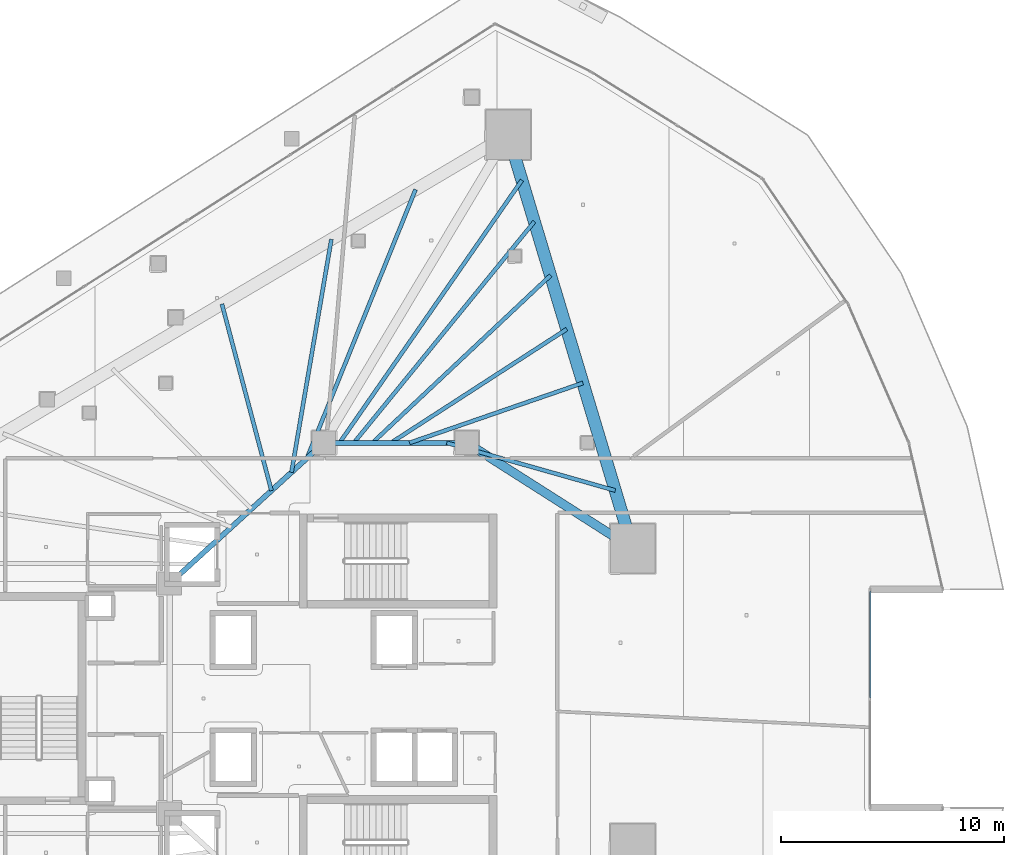
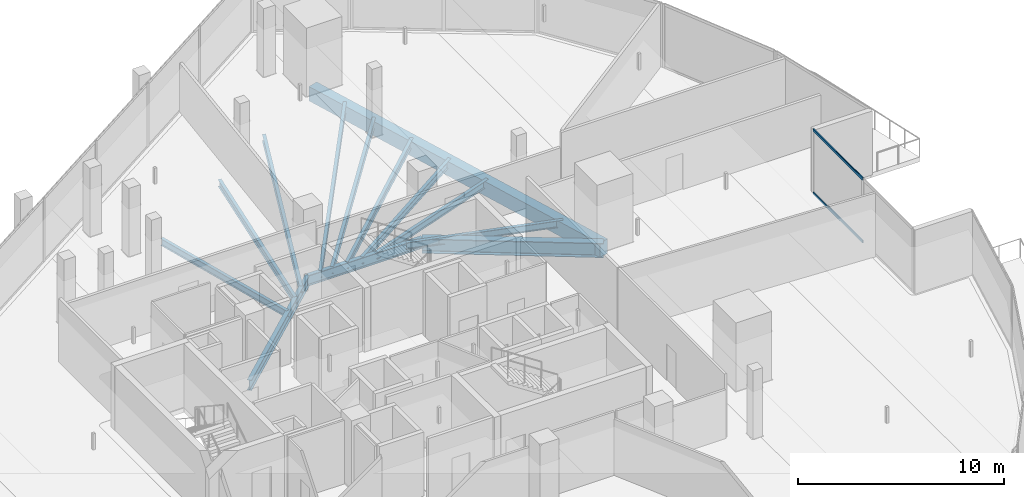
# One storey, part 18 of 38: 13 beams, 2 members, 1 element without a shape of its own.
"""IFC4 building model written with IfcOpenShell, lengths in metres."""

from ifc_helpers import new_model, si_unit, direction, frame, origin, origin_2d, place, context, subcontext, project, spatial, rectangle, hollow_rectangle, i_section, extrude, material, layer, layer_set, material_profile, profile_set, type_object, element, aggregate, save


model = new_model("IFC4")

# Units and contexts
model_context = context("Model", 3, precision=1e-05, world=origin(), true_north=direction((0.0, 1.0)))
body_context = subcontext(model_context, "Body", "Model", "MODEL_VIEW")
ifc_project = project(units=[si_unit("LENGTHUNIT", "METRE"), si_unit("AREAUNIT", "SQUARE_METRE"), si_unit("VOLUMEUNIT", "CUBIC_METRE"), si_unit("PLANEANGLEUNIT", "RADIAN"), si_unit("MASSUNIT", "GRAM", prefix="KILO")], contexts=[model_context])

# Site, building, storey
site_placement = place(None, origin())
site = spatial("IfcSite", under=ifc_project, at=site_placement, CompositionType="ELEMENT")
building_placement = place(site_placement, origin())
building = spatial("IfcBuilding", under=site, at=building_placement, Name="Qorvath Tower", CompositionType="ELEMENT")
storey_placement = place(building_placement, frame((0.0, 0.0, 134.10009765625)))
storey = spatial("IfcBuildingStorey", under=building, at=storey_placement, Name="L30", CompositionType="ELEMENT", Elevation=134.10009765625)

# Beams
ifc_material_1 = material(Name="Steel ASTM A992 Grade 50", Category="steel")
ifc_material_profile_1 = material_profile(ifc_material_1, i_section(OverallWidth=0.39892578125, OverallDepth=0.85498046875, WebThickness=0.018310546875, FlangeThickness=0.029296875, FilletRadius=0.02001953125, at=origin_2d()), Name="W33x201")
ifc_profile_set_1 = profile_set([ifc_material_profile_1], Name="Steel ASTM A992 Grade 50")
beam_type_1 = type_object("IfcBeamType", Name="BM-FG2", PredefinedType="BEAM", material=ifc_profile_set_1)
beam_1_placement = place(storey_placement, frame((-17.199951171875, 11.449951171875, -0.697509765625), z_axis=(0.843634090834, -0.536918542037, 0.0), x_axis=(0.536918542037, 0.843634090834, 0.0)))
element("IfcBeam", 1, at=beam_1_placement, inside=storey, type_object=beam_type_1, Name="Radial Floor Girder CC2-MC5 L30", PredefinedType="BEAM", context=body_context, shape_type="SweptSolid", body=[
    extrude(i_section(OverallWidth=0.39892578125, OverallDepth=0.85498046875, WebThickness=0.018310546875, FlangeThickness=0.029296875, FilletRadius=0.02001953125, at=origin_2d()), origin(), (0.0, 0.0, 1.0), 8.806884765625),
])
ifc_material_2 = material(Name="Steel ASTM A992 Grade 50", Category="steel")
ifc_material_profile_2 = material_profile(ifc_material_2, i_section(OverallWidth=0.22998046875, OverallDepth=0.616943359375, WebThickness=0.01318359375, FlangeThickness=0.022216796875, FilletRadius=0.014892578125, at=origin_2d()), Name="W24x94")
ifc_profile_set_2 = profile_set([ifc_material_profile_2], Name="Steel ASTM A992 Grade 50")
beam_type_2 = type_object("IfcBeamType", Name="BM-FG6", PredefinedType="BEAM", material=ifc_profile_set_2)
beam_2_placement = place(storey_placement, frame((-23.60009765625, 11.449951171875, -0.57861328125), z_axis=(1.0, 0.0, 0.0), x_axis=(0.0, 1.0, 0.0)))
element("IfcBeam", 2, at=beam_2_placement, inside=storey, type_object=beam_type_2, Name="Core Ring Girder CC1-CC2 L30", PredefinedType="BEAM", context=body_context, shape_type="SweptSolid", body=[
    extrude(i_section(OverallWidth=0.22998046875, OverallDepth=0.616943359375, WebThickness=0.01318359375, FlangeThickness=0.022216796875, FilletRadius=0.014892578125, at=origin_2d()), origin(), (0.0, 0.0, 1.0), 6.400146484375),
])
beam_3_placement = place(storey_placement, frame((-30.5, 5.14990234375, -0.57861328125), z_axis=(0.73847813985, 0.6742774184, 0.0), x_axis=(-0.6742774184, 0.73847813985, 0.0)))
element("IfcBeam", 3, at=beam_3_placement, inside=storey, type_object=beam_type_2, Name="Core Ring Girder CC5-CC1 L30", PredefinedType="BEAM", context=body_context, shape_type="SweptSolid", body=[
    extrude(i_section(OverallWidth=0.22998046875, OverallDepth=0.616943359375, WebThickness=0.01318359375, FlangeThickness=0.022216796875, FilletRadius=0.014892578125, at=origin_2d()), origin(), (0.0, 0.0, 1.0), 9.343505859375),
])
ifc_material_3 = material(Name="Steel ASTM A992 Grade 50", Category="steel")
ifc_material_profile_3 = material_profile(ifc_material_3, i_section(OverallWidth=0.177978515625, OverallDepth=0.406005859375, WebThickness=0.0078125, FlangeThickness=0.0126953125, FilletRadius=0.010986328125, at=origin_2d()), Name="W16x40")
ifc_profile_set_3 = profile_set([ifc_material_profile_3], Name="Steel ASTM A992 Grade 50")
beam_type_3 = type_object("IfcBeamType", Name="BM-FJ3", PredefinedType="JOIST", material=ifc_profile_set_3)
beam_4_placement = place(storey_placement, frame((-18.095947265625, 11.449951171875, -0.472900390625), z_axis=(0.962222206221, -0.272265359264, 0.0), x_axis=(0.272265359264, 0.962222206221, 0.0)))
element("IfcBeam", 4, at=beam_4_placement, inside=storey, type_object=beam_type_3, Name="Composite Floor Joist NE1 L30", PredefinedType="JOIST", context=body_context, shape_type="SweptSolid", body=[
    extrude(i_section(OverallWidth=0.177978515625, OverallDepth=0.406005859375, WebThickness=0.0078125, FlangeThickness=0.0126953125, FilletRadius=0.010986328125, at=origin_2d()), origin(), (0.0, 0.0, 1.0), 7.841552734375),
])
beam_5_placement = place(storey_placement, frame((-19.760009765625, 11.449951171875, -0.472900390625), z_axis=(0.945168345309, 0.326583525342, 0.0), x_axis=(-0.326583525342, 0.945168345309, 0.0)))
element("IfcBeam", 5, at=beam_5_placement, inside=storey, type_object=beam_type_3, Name="Composite Floor Joist NE3 L30", PredefinedType="JOIST", context=body_context, shape_type="SweptSolid", body=[
    extrude(i_section(OverallWidth=0.177978515625, OverallDepth=0.406005859375, WebThickness=0.0078125, FlangeThickness=0.0126953125, FilletRadius=0.010986328125, at=origin_2d()), origin(), (0.0, 0.0, 1.0), 8.21044921875),
])
beam_6_placement = place(storey_placement, frame((-20.592041015625, 11.449951171875, -0.472900390625), z_axis=(0.839630966809, 0.543157288062, 0.0), x_axis=(-0.543157288062, 0.839630966809, 0.0)))
element("IfcBeam", 6, at=beam_6_placement, inside=storey, type_object=beam_type_3, Name="Composite Floor Joist NE4 L30", PredefinedType="JOIST", context=body_context, shape_type="SweptSolid", body=[
    extrude(i_section(OverallWidth=0.177978515625, OverallDepth=0.406005859375, WebThickness=0.0078125, FlangeThickness=0.0126953125, FilletRadius=0.010986328125, at=origin_2d()), origin(), (0.0, 0.0, 1.0), 9.370361328125),
])
beam_7_placement = place(storey_placement, frame((-21.424072265625, 11.449951171875, -0.472900390625), z_axis=(0.728572459091, 0.684968737866, 0.0), x_axis=(-0.684968737866, 0.728572459091, 0.0)))
element("IfcBeam", 7, at=beam_7_placement, inside=storey, type_object=beam_type_3, Name="Composite Floor Joist NE5 L30", PredefinedType="JOIST", context=body_context, shape_type="SweptSolid", body=[
    extrude(i_section(OverallWidth=0.177978515625, OverallDepth=0.406005859375, WebThickness=0.0078125, FlangeThickness=0.0126953125, FilletRadius=0.010986328125, at=origin_2d()), origin(), (0.0, 0.0, 1.0), 10.9462890625),
])
beam_8_placement = place(storey_placement, frame((-22.256103515625, 11.449951171875, -0.472900390625), z_axis=(0.632187975212, 0.774815051478, 0.0), x_axis=(-0.774815051478, 0.632187975212, 0.0)))
element("IfcBeam", 8, at=beam_8_placement, inside=storey, type_object=beam_type_3, Name="Composite Floor Joist NE6 L30", PredefinedType="JOIST", context=body_context, shape_type="SweptSolid", body=[
    extrude(i_section(OverallWidth=0.177978515625, OverallDepth=0.406005859375, WebThickness=0.0078125, FlangeThickness=0.0126953125, FilletRadius=0.010986328125, at=origin_2d()), origin(), (0.0, 0.0, 1.0), 12.784912109375),
])
beam_9_placement = place(storey_placement, frame((-22.89599609375, 11.449951171875, -0.472900390625), z_axis=(0.570366725248, 0.821390162304, 0.0), x_axis=(-0.821390162304, 0.570366725248, 0.0)))
element("IfcBeam", 9, at=beam_9_placement, inside=storey, type_object=beam_type_3, Name="Composite Floor Joist NE7 L30", PredefinedType="JOIST", context=body_context, shape_type="SweptSolid", body=[
    extrude(i_section(OverallWidth=0.177978515625, OverallDepth=0.406005859375, WebThickness=0.0078125, FlangeThickness=0.0126953125, FilletRadius=0.010986328125, at=origin_2d()), origin(), (0.0, 0.0, 1.0), 14.3154296875),
])
beam_10_placement = place(storey_placement, frame((-25.946044921875, 9.30810546875, -0.472900390625), z_axis=(-0.256507909517, 0.966542131702, 0.0), x_axis=(-0.966542131702, -0.256507909517, 0.0)))
element("IfcBeam", 10, at=beam_10_placement, inside=storey, type_object=beam_type_3, Name="Composite Floor Joist NW5 L30", PredefinedType="JOIST", context=body_context, shape_type="SweptSolid", body=[
    extrude(i_section(OverallWidth=0.177978515625, OverallDepth=0.406005859375, WebThickness=0.0078125, FlangeThickness=0.0126953125, FilletRadius=0.010986328125, at=origin_2d()), origin(), (0.0, 0.0, 1.0), 8.64697265625),
])
beam_11_placement = place(storey_placement, frame((-25.049072265625, 10.126953125, -0.472900390625), z_axis=(0.168745594245, 0.985659639238, 0.0), x_axis=(-0.985659639238, 0.168745594245, 0.0)))
element("IfcBeam", 11, at=beam_11_placement, inside=storey, type_object=beam_type_3, Name="Composite Floor Joist NW6 L30", PredefinedType="JOIST", context=body_context, shape_type="SweptSolid", body=[
    extrude(i_section(OverallWidth=0.177978515625, OverallDepth=0.406005859375, WebThickness=0.0078125, FlangeThickness=0.0126953125, FilletRadius=0.010986328125, at=origin_2d()), origin(), (0.0, 0.0, 1.0), 10.589111328125),
])
beam_12_placement = place(storey_placement, frame((-24.35888671875, 10.757080078125, -0.472900390625), z_axis=(0.37487652097, 0.927074751045, 0.0), x_axis=(-0.927074751045, 0.37487652097, 0.0)))
element("IfcBeam", 12, at=beam_12_placement, inside=storey, type_object=beam_type_3, Name="Composite Floor Joist NW7 L30", PredefinedType="JOIST", context=body_context, shape_type="SweptSolid", body=[
    extrude(i_section(OverallWidth=0.177978515625, OverallDepth=0.406005859375, WebThickness=0.0078125, FlangeThickness=0.0126953125, FilletRadius=0.010986328125, at=origin_2d()), origin(), (0.0, 0.0, 1.0), 12.9833984375),
])
ifc_material_4 = material(Name="Concrete C50/60", Category="concrete")
ifc_material_profile_4 = material_profile(ifc_material_4, rectangle(XDim=0.550048828125, YDim=0.85009765625, at=origin_2d()), Name="RCB 850x550")
ifc_profile_set_4 = profile_set([ifc_material_profile_4], Name="Concrete C50/60")
beam_type_4 = type_object("IfcBeamType", Name="BM-RCB2", PredefinedType="SPANDREL", material=ifc_profile_set_4)
beam_13_placement = place(storey_placement, frame((-9.770263671875, 6.721435546875, -0.695068359375), z_axis=(-0.288133952099, 0.957590113591, 0.0), x_axis=(-0.957590113591, -0.288133952099, 0.0)))
element("IfcBeam", 13, at=beam_13_placement, inside=storey, type_object=beam_type_4, Name="Perimeter Loggia Frame Beam MC5-MC6 L30", PredefinedType="SPANDREL", context=body_context, shape_type="SweptSolid", body=[
    extrude(rectangle(XDim=0.550048828125, YDim=0.85009765625, at=origin_2d()), origin(), (0.0, 0.0, 1.0), 19.344970703125),
])

# Curtain wall, members
ifc_material_5 = material(Name="Anodised aluminium and triple low-E glass", Category="aluminium")
ifc_layer = layer(ifc_material_5, 0.179931640625)
ifc_layer_set = layer_set([ifc_layer], Name="CW-SYS-3")
curtain_wall_type = type_object("IfcCurtainWallType", Name="CW-SYS-3", PredefinedType="NOTDEFINED", material=ifc_layer_set)
curtain_wall_placement = place(storey_placement, origin())
curtain_wall = element("IfcCurtainWall", 14, at=curtain_wall_placement, inside=storey, type_object=curtain_wall_type, Name="Curtain Wall CW-3 CW-T-L30-9.1", PredefinedType="NOTDEFINED")
ifc_material_6 = material(Name="Anodised aluminium 6063-T6", Category="aluminium")
ifc_material_profile_5 = material_profile(ifc_material_6, hollow_rectangle(XDim=0.06494140625, YDim=0.159912109375, WallThickness=0.00341796875, InnerFilletRadius=0.00341796875, OuterFilletRadius=0.007080078125, at=origin_2d()), Name="CWT 160x65")
ifc_profile_set_5 = profile_set([ifc_material_profile_5], Name="Anodised aluminium 6063-T6")
member_type = type_object("IfcMemberType", Name="CWT-160", PredefinedType="USERDEFINED", material=ifc_profile_set_5)
member_1_placement = place(storey_placement, frame((0.86328125, 0.032470703125, 0.032470703125), z_axis=(0.0, 1.0, 0.0), x_axis=(-1.0, 0.0, 0.0)))
member_1 = element("IfcMember", 15, at=member_1_placement, type_object=member_type, Name="CW-3 transom 2.1", ObjectType="TRANSOM", PredefinedType="USERDEFINED", context=body_context, shape_type="SweptSolid", body=[
    extrude(hollow_rectangle(XDim=0.06494140625, YDim=0.159912109375, WallThickness=0.00341796875, InnerFilletRadius=0.00341796875, OuterFilletRadius=0.007080078125, at=origin_2d()), origin(), (0.0, 0.0, 1.0), 4.7841796875),
])
member_2_placement = place(storey_placement, frame((0.86328125, 0.032470703125, 3.747314453125), z_axis=(0.0, 1.0, 0.0), x_axis=(-1.0, 0.0, 0.0)))
member_2 = element("IfcMember", 16, at=member_2_placement, type_object=member_type, Name="CW-3 transom 2.2", ObjectType="TRANSOM", PredefinedType="USERDEFINED", context=body_context, shape_type="SweptSolid", body=[
    extrude(hollow_rectangle(XDim=0.06494140625, YDim=0.159912109375, WallThickness=0.00341796875, InnerFilletRadius=0.00341796875, OuterFilletRadius=0.007080078125, at=origin_2d()), origin(), (0.0, 0.0, 1.0), 4.7841796875),
])
aggregate(curtain_wall, [member_1, member_2])

save(model, "model.ifc")
